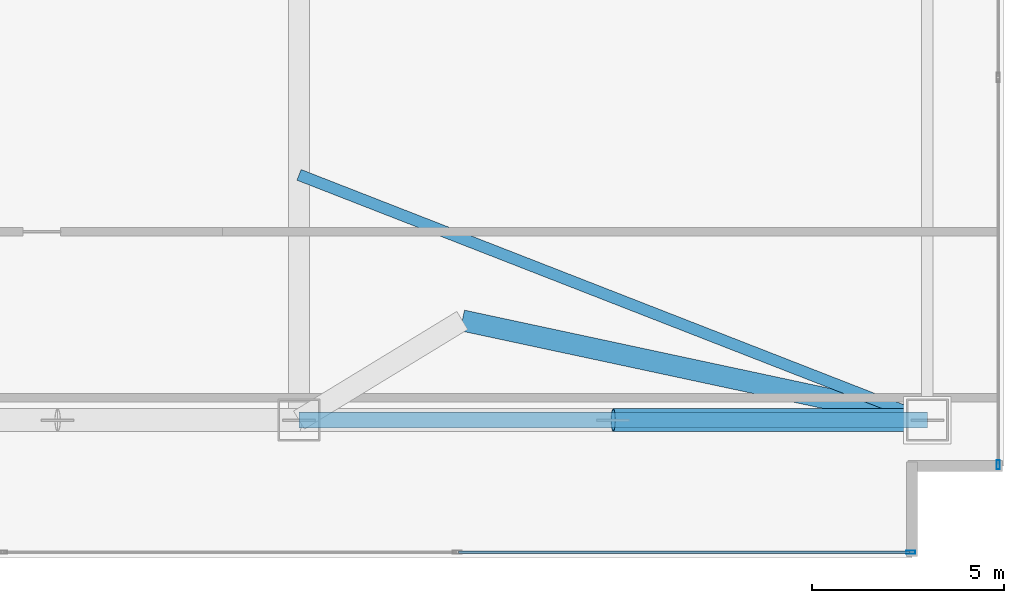
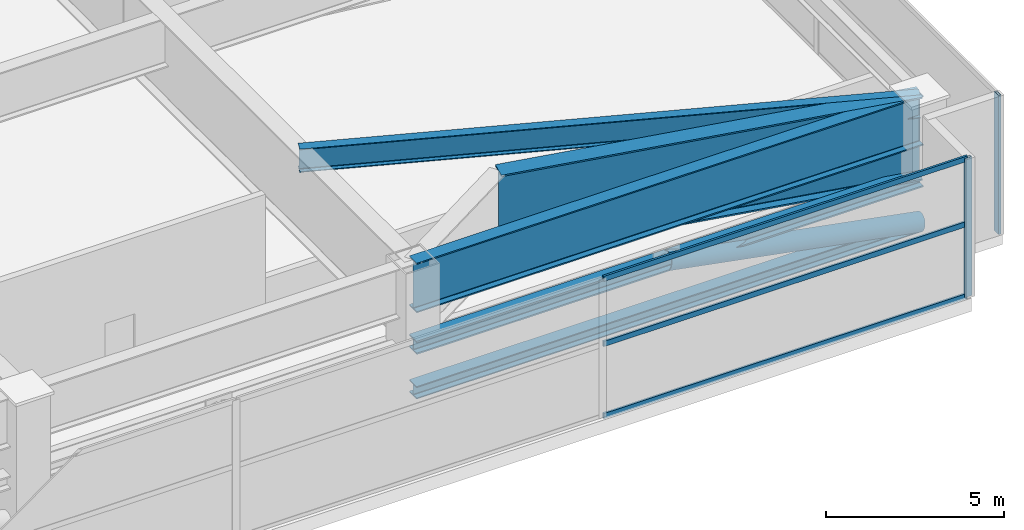
# One storey, part 21 of 36: 8 members, 3 beams, 2 elements without a shape of their own.
"""IFC4 building model written with IfcOpenShell, lengths in metres."""

import ifcopenshell
import ifcopenshell.guid

model = None  # the IFC model being written
_history = None  # IfcOwnerHistory: only IFC2X3 demands one
_inside = {}  # id of a spatial element -> (the spatial element, [elements in it])
_under = {}  # id of a project, library or spatial element -> (it, [spatial elements below it])
_declared = {}  # id of a project -> (the project, [libraries it declares])
_typed = {}  # id of a type object -> (the type object, [elements of that type])
_made_of = {}  # id of a material, layer set ... -> (it, [elements and type objects made of it])


def new_model(schema):
    """Start an empty IFC model of exactly this schema.

    Asked for "IFC4X3", IfcOpenShell would pick the latest addendum, in which some entities
    have other attributes; the version numbers below select the first issue.
    IFC2X3 requires an IfcOwnerHistory on every rooted entity: one is made here for all.
    """
    global model, _history
    if schema == "IFC4X3":
        model = ifcopenshell.file(schema_version=(4, 3, 0, 0))
    else:
        model = ifcopenshell.file(schema=schema)
    _inside.clear()
    _under.clear()
    _declared.clear()
    _typed.clear()
    _made_of.clear()
    _history = None
    if model.schema == "IFC2X3":
        org = make("IfcOrganization", Name="unknown")
        user = make(
            "IfcPersonAndOrganization",
            ThePerson=make("IfcPerson", FamilyName="unknown"),
            TheOrganization=org,
        )
        app = make(
            "IfcApplication",
            ApplicationDeveloper=org,
            Version="unknown",
            ApplicationFullName="unknown",
            ApplicationIdentifier="unknown",
        )
        _history = make(
            "IfcOwnerHistory",
            OwningUser=user,
            OwningApplication=app,
            ChangeAction="ADDED",
            CreationDate=0,
        )
    return model


def make(cls, **values):
    """One entity of the class cls with the attributes given. An attribute that is None is left unset."""
    return model.create_entity(
        cls, **{name: value for name, value in values.items() if value is not None}
    )


def rooted(cls, **values):
    """An entity with a GlobalId (a new one), such as an element, a storey or a relation."""
    return make(cls, GlobalId=ifcopenshell.guid.new(), OwnerHistory=_history, **values)


def si_unit(unit_type, name, prefix=None):
    """IfcSIUnit, for example si_unit("LENGTHUNIT", "METRE", prefix="MILLI")."""
    return make("IfcSIUnit", UnitType=unit_type, Prefix=prefix, Name=name)


def assignment(units):
    """IfcUnitAssignment: the units of a project."""
    return None if units is None else make("IfcUnitAssignment", Units=units)


def point(xyz):
    """IfcCartesianPoint."""
    return None if xyz is None else make("IfcCartesianPoint", Coordinates=xyz)


def direction(xyz):
    """IfcDirection."""
    return None if xyz is None else make("IfcDirection", DirectionRatios=xyz)


def frame(location, z_axis=None, x_axis=None):
    """IfcAxis2Placement3D, a coordinate frame: its origin and axes. An axis left out is left unset."""
    return make(
        "IfcAxis2Placement3D",
        Location=point(location),
        Axis=direction(z_axis),
        RefDirection=direction(x_axis),
    )


def frame_2d(location, x_axis=None):
    """IfcAxis2Placement2D, a coordinate frame in the plane: its origin and x axis."""
    return make(
        "IfcAxis2Placement2D", Location=point(location), RefDirection=direction(x_axis)
    )


def origin():
    """The frame at (0, 0, 0) with its axes left unset."""
    return frame((0.0, 0.0, 0.0))


def origin_2d():
    """The frame at (0, 0) in the plane with its x axis left unset."""
    return frame_2d((0.0, 0.0))


def place(relative_to, where):
    """IfcLocalPlacement: puts the frame where relative to a parent placement (None: the world)."""
    return make(
        "IfcLocalPlacement", PlacementRelTo=relative_to, RelativePlacement=where
    )


def context(
    kind, dimensions, precision=None, world=None, true_north=None, identifier=None
):
    """IfcGeometricRepresentationContext, for example the 3D "Model" context."""
    return make(
        "IfcGeometricRepresentationContext",
        ContextIdentifier=identifier,
        ContextType=kind,
        CoordinateSpaceDimension=dimensions,
        Precision=precision,
        WorldCoordinateSystem=world,
        TrueNorth=true_north,
    )


def subcontext(parent, identifier, kind, view, scale=None):
    """IfcGeometricRepresentationSubContext, for example "Body" below "Model"."""
    return make(
        "IfcGeometricRepresentationSubContext",
        ContextIdentifier=identifier,
        ContextType=kind,
        ParentContext=parent,
        TargetScale=scale,
        TargetView=view,
    )


def project(units=None, contexts=None):
    """IfcProject with its units and contexts."""
    return rooted(
        "IfcProject",
        Name="project",
        RepresentationContexts=contexts,
        UnitsInContext=assignment(units),
    )


def spatial(cls, under=None, at=None, **own):
    """A site, building, storey or space (cls), placed at a placement, below another one or the project."""
    s = rooted(cls, ObjectPlacement=at, **own)
    if under is not None:
        _under.setdefault(under.id(), (under, []))[1].append(s)
    return s


def profile(cls, at=None, kind="AREA", **sizes):
    """A parametric profile (cls). Its sizes go by their IFC names, for example OverallWidth=200.0."""
    return make(cls, ProfileType=kind, Position=at, **sizes)


def hollow_rectangle(**sizes):
    """IfcRectangleHollowProfileDef."""
    return profile("IfcRectangleHollowProfileDef", **sizes)


def hollow_circle(**sizes):
    """IfcCircleHollowProfileDef."""
    return profile("IfcCircleHollowProfileDef", **sizes)


def i_section(**sizes):
    """IfcIShapeProfileDef."""
    return profile("IfcIShapeProfileDef", **sizes)


def extrude(swept, where, along, depth):
    """IfcExtrudedAreaSolid: the profile swept, set in the frame where, extruded along a direction by depth."""
    return make(
        "IfcExtrudedAreaSolid",
        SweptArea=swept,
        Position=where,
        ExtrudedDirection=direction(along),
        Depth=depth,
    )


def shape(context_of_items, identifier, shape_type, items):
    """IfcShapeRepresentation: the items that make up one representation, for example the "Body"."""
    return make(
        "IfcShapeRepresentation",
        ContextOfItems=context_of_items,
        RepresentationIdentifier=identifier,
        RepresentationType=shape_type,
        Items=items,
    )


def material(Name=None, Category=None):
    """IfcMaterial."""
    return make("IfcMaterial", Name=Name, Category=Category)


def layer(
    of_material, thickness, ventilated=None, Name=None, Category=None, Priority=None
):
    """IfcMaterialLayer: one layer of a wall or slab, of a material (None: an air gap)."""
    return make(
        "IfcMaterialLayer",
        Material=of_material,
        LayerThickness=thickness,
        IsVentilated=ventilated,
        Name=Name,
        Category=Category,
        Priority=Priority,
    )


def layer_set(layers, Name=None):
    """IfcMaterialLayerSet."""
    return make("IfcMaterialLayerSet", MaterialLayers=layers, LayerSetName=Name)


def material_profile(
    of_material, cross_section, Name=None, Category=None, Priority=None
):
    """IfcMaterialProfile: a cross section and its material."""
    return make(
        "IfcMaterialProfile",
        Name=Name,
        Material=of_material,
        Profile=cross_section,
        Priority=Priority,
        Category=Category,
    )


def profile_set(profiles, Name=None, composite=None):
    """IfcMaterialProfileSet."""
    return make(
        "IfcMaterialProfileSet",
        Name=Name,
        MaterialProfiles=profiles,
        CompositeProfile=composite,
    )


def made_of(thing, what):
    """Note that an element or type object is made of a material, layer set ...; save() writes the relation."""
    if what is not None:
        _made_of.setdefault(what.id(), (what, []))[1].append(thing)
    return thing


def type_object(cls, material=None, **own):
    """A type object (cls), such as IfcWallType, which elements share."""
    return made_of(rooted(cls, **own), material)


def element(
    cls,
    number,
    at=None,
    inside=None,
    cuts=None,
    type_object=None,
    material=None,
    context=None,
    identifier="Body",
    shape_type=None,
    held_by="IfcProductDefinitionShape",
    body=None,
    shapes=None,
    **own,
):
    """One element of the class cls, such as IfcWall. Its Tag is "e" and its number.

    at: its placement. inside: the storey or other place that contains it. cuts: it is an
    opening in that element (IfcRelVoidsElement). A single representation is given by context,
    identifier, shape_type and body (its items); several are given by shapes. held_by: the class
    of the entity that holds the representations. save() writes the other relations.
    """
    e = rooted(cls, Tag="e%d" % number, ObjectPlacement=at, **own)
    if body is not None:
        shapes = [shape(context, identifier, shape_type, body)]
    if shapes is not None:
        e.Representation = make(held_by, Representations=shapes)
    if inside is not None:
        _inside.setdefault(inside.id(), (inside, []))[1].append(e)
    if cuts is not None:
        rooted(
            "IfcRelVoidsElement", RelatingBuildingElement=cuts, RelatedOpeningElement=e
        )
    if type_object is not None:
        _typed.setdefault(type_object.id(), (type_object, []))[1].append(e)
    return made_of(e, material)


def aggregate(whole, parts):
    """IfcRelAggregates: a whole, such as a stair, and the parts it consists of."""
    return rooted("IfcRelAggregates", RelatingObject=whole, RelatedObjects=parts)


def save(model, path):
    """Write the relations noted so far, then the file.

    IfcRelAggregates (storeys below a building ...), IfcRelContainedInSpatialStructure (elements
    in a storey), IfcRelDefinesByType, IfcRelAssociatesMaterial and IfcRelDeclares: one each for
    every whole, place, type object, material and project.
    """
    for whole, parts in _under.values():
        aggregate(whole, parts)
    for where, things in _inside.values():
        rooted(
            "IfcRelContainedInSpatialStructure",
            RelatedElements=things,
            RelatingStructure=where,
        )
    for kind, things in _typed.values():
        rooted("IfcRelDefinesByType", RelatedObjects=things, RelatingType=kind)
    for what, things in _made_of.values():
        rooted("IfcRelAssociatesMaterial", RelatedObjects=things, RelatingMaterial=what)
    for by, libraries in _declared.values():
        rooted("IfcRelDeclares", RelatingContext=by, RelatedDefinitions=libraries)
    model.write(path)


model = new_model("IFC4")

# Units and contexts
model_context = context("Model", 3, precision=1e-05, world=origin(), true_north=direction((0.0, 1.0)))
body_context = subcontext(model_context, "Body", "Model", "MODEL_VIEW")
ifc_project = project(units=[si_unit("LENGTHUNIT", "METRE"), si_unit("AREAUNIT", "SQUARE_METRE"), si_unit("VOLUMEUNIT", "CUBIC_METRE"), si_unit("PLANEANGLEUNIT", "RADIAN"), si_unit("MASSUNIT", "GRAM", prefix="KILO")], contexts=[model_context])

# Site, building, storey
site_placement = place(None, origin())
site = spatial("IfcSite", under=ifc_project, at=site_placement, CompositionType="ELEMENT")
building_placement = place(site_placement, origin())
building = spatial("IfcBuilding", under=site, at=building_placement, Name="Calvorn Quay Hotel", CompositionType="ELEMENT")
storey_placement = place(building_placement, frame((0.0, 0.0, 22.0)))
storey = spatial("IfcBuildingStorey", under=building, at=storey_placement, Name="L04", CompositionType="ELEMENT", Elevation=22.0)

# Beams
ifc_material_1 = material(Name="Steel Q390GJC", Category="steel")
ifc_material_profile_1 = material_profile(ifc_material_1, i_section(OverallWidth=0.300048828125, OverallDepth=0.800048828125, WebThickness=0.013916015625, FlangeThickness=0.02587890625, FilletRadius=0.02392578125, at=origin_2d()), Name="HN800x300x14x26")
ifc_profile_set_1 = profile_set([ifc_material_profile_1], Name="Steel Q390GJC")
beam_type_1 = type_object("IfcBeamType", Name="BM-GIRD-POD", PredefinedType="BEAM", material=ifc_profile_set_1)
beam_1_placement = place(storey_placement, frame((57.60009765625, 10.0, 4.340087890625), z_axis=(0.931578765016, -0.363539550215, 0.0), x_axis=(0.363539550215, 0.931578765016, 0.0)))
element("IfcBeam", 1, at=beam_1_placement, inside=storey, type_object=beam_type_1, Name="Beam BG-L04-GDN1", PredefinedType="BEAM", context=body_context, shape_type="SweptSolid", body=[
    extrude(i_section(OverallWidth=0.300048828125, OverallDepth=0.800048828125, WebThickness=0.013916015625, FlangeThickness=0.02587890625, FilletRadius=0.02392578125, at=origin_2d()), origin(), (0.0, 0.0, 1.0), 17.6044921875),
])
ifc_material_2 = material(Name="Steel Q420GJC", Category="steel")
ifc_material_profile_2 = material_profile(ifc_material_2, i_section(OverallWidth=0.550048828125, OverallDepth=2.85009765625, WebThickness=0.031982421875, FlangeThickness=0.050048828125, FilletRadius=0.028076171875, at=origin_2d()), Name="HW2850x550x32x50")
ifc_profile_set_2 = profile_set([ifc_material_profile_2], Name="Steel Q420GJC")
beam_type_2 = type_object("IfcBeamType", Name="BM-XFER-MEGA", PredefinedType="BEAM", material=ifc_profile_set_2)
beam_2_placement = place(storey_placement, frame((61.861083984375, 6.199951171875, 3.31494140625), z_axis=(0.977824569091, -0.209425671975, 0.0), x_axis=(0.209425671975, 0.977824569091, 0.0)))
element("IfcBeam", 2, at=beam_2_placement, inside=storey, type_object=beam_type_2, Name="Beam BTG-L04-C-ET1B", PredefinedType="BEAM", context=body_context, shape_type="SweptSolid", body=[
    extrude(i_section(OverallWidth=0.550048828125, OverallDepth=2.85009765625, WebThickness=0.031982421875, FlangeThickness=0.050048828125, FilletRadius=0.028076171875, at=origin_2d()), origin(), (0.0, 0.0, 1.0), 12.414306640625),
])
ifc_material_3 = material(Name="Steel Q420GJC", Category="steel")
ifc_material_profile_3 = material_profile(ifc_material_3, i_section(OverallWidth=0.419921875, OverallDepth=1.699951171875, WebThickness=0.02392578125, FlangeThickness=0.0419921875, FilletRadius=0.02392578125, at=origin_2d()), Name="HN1700x420x24x42")
ifc_profile_set_3 = profile_set([ifc_material_profile_3], Name="Steel Q420GJC")
beam_type_3 = type_object("IfcBeamType", Name="BM-XFER-SAWTOOTH", PredefinedType="BEAM", material=ifc_profile_set_3)
beam_3_placement = place(storey_placement, frame((57.60009765625, 3.60009765625, 3.889892578125), z_axis=(1.0, 0.0, 0.0), x_axis=(0.0, 1.0, 0.0)))
element("IfcBeam", 3, at=beam_3_placement, inside=storey, type_object=beam_type_3, Name="Beam BTG-L04-S3", PredefinedType="BEAM", context=body_context, shape_type="SweptSolid", body=[
    extrude(i_section(OverallWidth=0.419921875, OverallDepth=1.699951171875, WebThickness=0.02392578125, FlangeThickness=0.0419921875, FilletRadius=0.02392578125, at=origin_2d()), origin(), (0.0, 0.0, 1.0), 16.39990234375),
])

# Curtain wall, member
ifc_material_4 = material(Name="Pale Anodised Aluminium and Low-E Glass", Category="aluminium")
ifc_layer = layer(ifc_material_4, 0.219970703125)
ifc_layer_set = layer_set([ifc_layer], Name="CW-SYS-POD")
curtain_wall_type = type_object("IfcCurtainWallType", Name="CW-SYS-POD", PredefinedType="NOTDEFINED", material=ifc_layer_set)
curtain_wall_1_placement = place(storey_placement, origin())
curtain_wall_1 = element("IfcCurtainWall", 4, at=curtain_wall_1_placement, inside=storey, type_object=curtain_wall_type, Name="Podium Curtain Wall L04-S1", PredefinedType="NOTDEFINED")
ifc_material_5 = material(Name="Pale Anodised Aluminium 6063-T6", Category="aluminium")
ifc_material_profile_4 = material_profile(ifc_material_5, hollow_rectangle(XDim=0.080078125, YDim=0.239990234375, WallThickness=0.0048828125, at=origin_2d()), Name="ALU-M240x80x5")
ifc_profile_set_4 = profile_set([ifc_material_profile_4], Name="Pale Anodised Aluminium 6063-T6")
member_type_1 = type_object("IfcMemberType", Name="CW-SYS-POD-MUL", PredefinedType="MULLION", material=ifc_profile_set_4)
member_1_placement = place(storey_placement, frame((73.570068359375, 0.14990234375, 0.0), z_axis=(0.0, 0.0, 1.0), x_axis=(0.0, 1.0, 0.0)))
member_1 = element("IfcMember", 5, at=member_1_placement, type_object=member_type_1, Name="CW-L04-S1 mullion 7", PredefinedType="MULLION", context=body_context, shape_type="SweptSolid", body=[
    extrude(hollow_rectangle(XDim=0.080078125, YDim=0.239990234375, WallThickness=0.0048828125, at=origin_2d()), origin(), (0.0, 0.0, 1.0), 4.760009765625),
])

curtain_wall_2_placement = place(storey_placement, origin())
curtain_wall_2 = element("IfcCurtainWall", 6, at=curtain_wall_2_placement, inside=storey, type_object=curtain_wall_type, Name="Podium Curtain Wall L04-E1", PredefinedType="NOTDEFINED")
member_2_placement = place(storey_placement, frame((75.85009765625, 2.429931640625, 0.0), z_axis=(0.0, 0.0, 1.0), x_axis=(-1.0, 0.0, 0.0)))
member_2 = element("IfcMember", 7, at=member_2_placement, type_object=member_type_1, Name="CW-L04-E1 mullion 1", PredefinedType="MULLION", context=body_context, shape_type="SweptSolid", body=[
    extrude(hollow_rectangle(XDim=0.080078125, YDim=0.239990234375, WallThickness=0.0048828125, at=origin_2d()), origin(), (0.0, 0.0, 1.0), 4.760009765625),
])
aggregate(curtain_wall_2, [member_2])

# Member
ifc_material_6 = material(Name="Pale Anodised Aluminium 6063-T6", Category="aluminium")
ifc_material_profile_5 = material_profile(ifc_material_6, hollow_rectangle(XDim=0.070068359375, YDim=0.179931640625, WallThickness=0.00390625, at=origin_2d()), Name="ALU-T180x70x4")
ifc_profile_set_5 = profile_set([ifc_material_profile_5], Name="Pale Anodised Aluminium 6063-T6")
member_type_2 = type_object("IfcMemberType", Name="CW-SYS-POD-TRN", PredefinedType="USERDEFINED", material=ifc_profile_set_5)
member_3_placement = place(storey_placement, frame((61.763427734375, 0.14990234375, 0.030029296875), z_axis=(1.0, 0.0, 0.0), x_axis=(0.0, 1.0, 0.0)))
member_3 = element("IfcMember", 8, at=member_3_placement, type_object=member_type_2, Name="CW-L04-S1 transom 6.1", ObjectType="TRANSOM", PredefinedType="USERDEFINED", context=body_context, shape_type="SweptSolid", body=[
    extrude(hollow_rectangle(XDim=0.070068359375, YDim=0.179931640625, WallThickness=0.00390625, at=origin_2d()), origin(), (0.0, 0.0, 1.0), 11.776611328125),
])

member_4_placement = place(storey_placement, frame((61.763427734375, 0.14990234375, 2.5), z_axis=(1.0, 0.0, 0.0), x_axis=(0.0, 1.0, 0.0)))
member_4 = element("IfcMember", 9, at=member_4_placement, type_object=member_type_2, Name="CW-L04-S1 transom 6.2", ObjectType="TRANSOM", PredefinedType="USERDEFINED", context=body_context, shape_type="SweptSolid", body=[
    extrude(hollow_rectangle(XDim=0.070068359375, YDim=0.179931640625, WallThickness=0.00390625, at=origin_2d()), origin(), (0.0, 0.0, 1.0), 11.776611328125),
])

member_5_placement = place(storey_placement, frame((61.763427734375, 0.14990234375, 4.72998046875), z_axis=(1.0, 0.0, 0.0), x_axis=(0.0, 1.0, 0.0)))
member_5 = element("IfcMember", 10, at=member_5_placement, type_object=member_type_2, Name="CW-L04-S1 transom 6.3", ObjectType="TRANSOM", PredefinedType="USERDEFINED", context=body_context, shape_type="SweptSolid", body=[
    extrude(hollow_rectangle(XDim=0.070068359375, YDim=0.179931640625, WallThickness=0.00390625, at=origin_2d()), origin(), (0.0, 0.0, 1.0), 11.776611328125),
])

aggregate(curtain_wall_1, [member_1, member_3, member_4, member_5])

# Members
ifc_material_7 = material(Name="Steel Q420GJC", Category="steel")
ifc_material_profile_6 = material_profile(ifc_material_7, i_section(OverallWidth=0.406982421875, OverallDepth=0.427978515625, WebThickness=0.02001953125, FlangeThickness=0.034912109375, FilletRadius=0.02197265625, at=origin_2d()), Name="HW428x407x20x35")
ifc_profile_set_6 = profile_set([ifc_material_profile_6], Name="Steel Q420GJC")
member_type_3 = type_object("IfcMemberType", Name="MEM-TRUSS-CHORD-BOT", PredefinedType="CHORD", material=ifc_profile_set_6)
member_6_placement = place(storey_placement, frame((57.60009765625, 3.60009765625, 0.300048828125), z_axis=(1.0, 0.0, 0.0), x_axis=(0.0, 1.0, 0.0)))
element("IfcMember", 11, at=member_6_placement, inside=storey, type_object=member_type_3, Name="Ballroom Transfer Bottom Chord MBC-T13", PredefinedType="CHORD", context=body_context, shape_type="SweptSolid", body=[
    extrude(i_section(OverallWidth=0.406982421875, OverallDepth=0.427978515625, WebThickness=0.02001953125, FlangeThickness=0.034912109375, FilletRadius=0.02197265625, at=origin_2d()), origin(), (0.0, 0.0, 1.0), 16.39990234375),
])
ifc_material_8 = material(Name="Steel Q420GJC", Category="steel")
ifc_material_profile_7 = material_profile(ifc_material_8, i_section(OverallWidth=0.4169921875, OverallDepth=0.4580078125, WebThickness=0.030029296875, FlangeThickness=0.050048828125, FilletRadius=0.02197265625, at=origin_2d()), Name="HW458x417x30x50")
ifc_profile_set_7 = profile_set([ifc_material_profile_7], Name="Steel Q420GJC")
member_type_4 = type_object("IfcMemberType", Name="MEM-TRUSS-CHORD-TOP", PredefinedType="CHORD", material=ifc_profile_set_7)
member_7_placement = place(storey_placement, frame((57.60009765625, 3.60009765625, 1.840087890625), z_axis=(1.0, 0.0, 0.0), x_axis=(0.0, 1.0, 0.0)))
element("IfcMember", 12, at=member_7_placement, inside=storey, type_object=member_type_4, Name="Ballroom Transfer Top Chord MTC-13", PredefinedType="CHORD", context=body_context, shape_type="SweptSolid", body=[
    extrude(i_section(OverallWidth=0.4169921875, OverallDepth=0.4580078125, WebThickness=0.030029296875, FlangeThickness=0.050048828125, FilletRadius=0.02197265625, at=origin_2d()), origin(), (0.0, 0.0, 1.0), 16.39990234375),
])
ifc_material_9 = material(Name="Steel Q420GJC", Category="steel")
ifc_material_profile_8 = material_profile(ifc_material_9, hollow_circle(Radius=0.300048828125, WallThickness=0.02392578125, at=origin_2d()), Name="CHS600x24")
ifc_profile_set_8 = profile_set([ifc_material_profile_8], Name="Steel Q420GJC")
member_type_5 = type_object("IfcMemberType", Name="MEM-TRUSS-DIAG-HVY", PredefinedType="BRACE", material=ifc_profile_set_8)
member_8_placement = place(storey_placement, frame((65.800048828125, 3.60009765625, 1.840087890625), z_axis=(0.982816821242, 0.0, -0.184583574252), x_axis=(0.0, 1.0, 0.0)))
element("IfcMember", 13, at=member_8_placement, inside=storey, type_object=member_type_5, Name="Ballroom Warren Diagonal MTD-13B", PredefinedType="BRACE", context=body_context, shape_type="SweptSolid", body=[
    extrude(hollow_circle(Radius=0.300048828125, WallThickness=0.02392578125, at=origin_2d()), origin(), (0.0, 0.0, 1.0), 8.34326171875),
])

save(model, "model.ifc")
